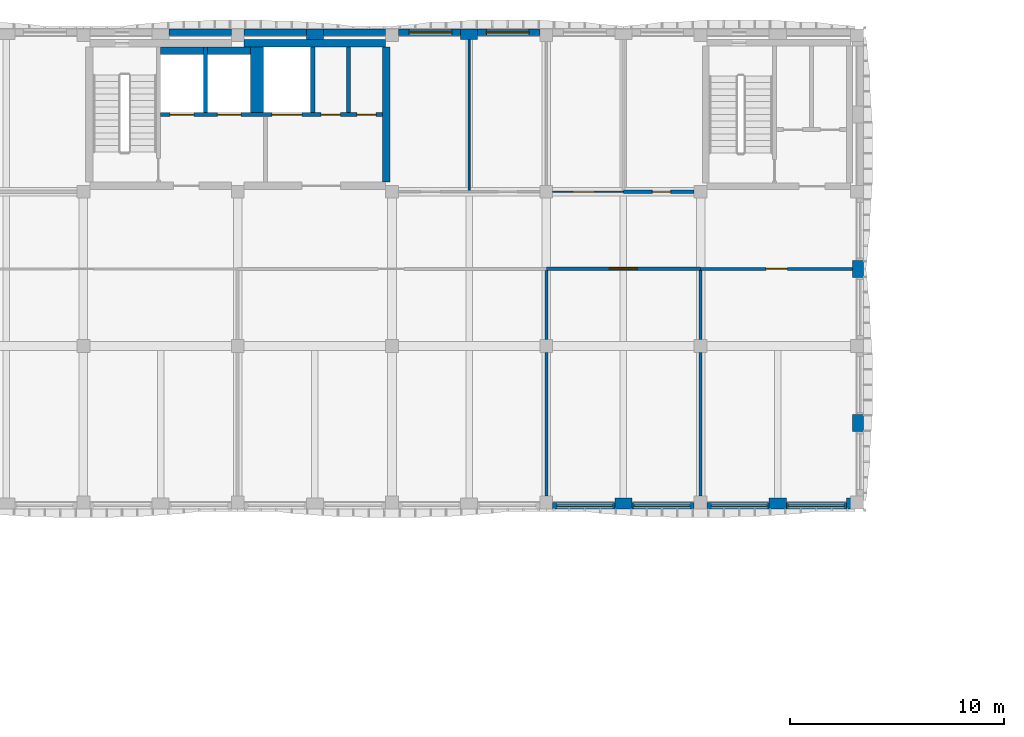
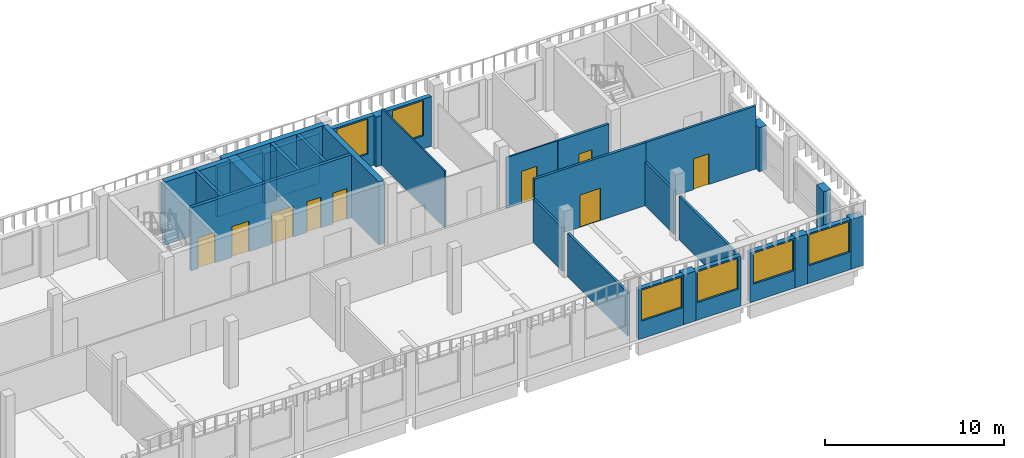
# One storey, part 16 of 38: 34 walls, 9 doors, 6 windows, 15 openings.
"""IFC4 building model written with IfcOpenShell, lengths in metres."""

import ifcopenshell
import ifcopenshell.guid

model = None  # the IFC model being written
_history = None  # IfcOwnerHistory: only IFC2X3 demands one
_inside = {}  # id of a spatial element -> (the spatial element, [elements in it])
_under = {}  # id of a project, library or spatial element -> (it, [spatial elements below it])
_declared = {}  # id of a project -> (the project, [libraries it declares])
_typed = {}  # id of a type object -> (the type object, [elements of that type])
_made_of = {}  # id of a material, layer set ... -> (it, [elements and type objects made of it])


def new_model(schema):
    """Start an empty IFC model of exactly this schema.

    Asked for "IFC4X3", IfcOpenShell would pick the latest addendum, in which some entities
    have other attributes; the version numbers below select the first issue.
    IFC2X3 requires an IfcOwnerHistory on every rooted entity: one is made here for all.
    """
    global model, _history
    if schema == "IFC4X3":
        model = ifcopenshell.file(schema_version=(4, 3, 0, 0))
    else:
        model = ifcopenshell.file(schema=schema)
    _inside.clear()
    _under.clear()
    _declared.clear()
    _typed.clear()
    _made_of.clear()
    _history = None
    if model.schema == "IFC2X3":
        org = make("IfcOrganization", Name="unknown")
        user = make(
            "IfcPersonAndOrganization",
            ThePerson=make("IfcPerson", FamilyName="unknown"),
            TheOrganization=org,
        )
        app = make(
            "IfcApplication",
            ApplicationDeveloper=org,
            Version="unknown",
            ApplicationFullName="unknown",
            ApplicationIdentifier="unknown",
        )
        _history = make(
            "IfcOwnerHistory",
            OwningUser=user,
            OwningApplication=app,
            ChangeAction="ADDED",
            CreationDate=0,
        )
    return model


def make(cls, **values):
    """One entity of the class cls with the attributes given. An attribute that is None is left unset."""
    return model.create_entity(
        cls, **{name: value for name, value in values.items() if value is not None}
    )


def rooted(cls, **values):
    """An entity with a GlobalId (a new one), such as an element, a storey or a relation."""
    return make(cls, GlobalId=ifcopenshell.guid.new(), OwnerHistory=_history, **values)


def si_unit(unit_type, name, prefix=None):
    """IfcSIUnit, for example si_unit("LENGTHUNIT", "METRE", prefix="MILLI")."""
    return make("IfcSIUnit", UnitType=unit_type, Prefix=prefix, Name=name)


def assignment(units):
    """IfcUnitAssignment: the units of a project."""
    return None if units is None else make("IfcUnitAssignment", Units=units)


def point(xyz):
    """IfcCartesianPoint."""
    return None if xyz is None else make("IfcCartesianPoint", Coordinates=xyz)


def direction(xyz):
    """IfcDirection."""
    return None if xyz is None else make("IfcDirection", DirectionRatios=xyz)


def frame(location, z_axis=None, x_axis=None):
    """IfcAxis2Placement3D, a coordinate frame: its origin and axes. An axis left out is left unset."""
    return make(
        "IfcAxis2Placement3D",
        Location=point(location),
        Axis=direction(z_axis),
        RefDirection=direction(x_axis),
    )


def frame_2d(location, x_axis=None):
    """IfcAxis2Placement2D, a coordinate frame in the plane: its origin and x axis."""
    return make(
        "IfcAxis2Placement2D", Location=point(location), RefDirection=direction(x_axis)
    )


def origin():
    """The frame at (0, 0, 0) with its axes left unset."""
    return frame((0.0, 0.0, 0.0))


def place(relative_to, where):
    """IfcLocalPlacement: puts the frame where relative to a parent placement (None: the world)."""
    return make(
        "IfcLocalPlacement", PlacementRelTo=relative_to, RelativePlacement=where
    )


def context(
    kind, dimensions, precision=None, world=None, true_north=None, identifier=None
):
    """IfcGeometricRepresentationContext, for example the 3D "Model" context."""
    return make(
        "IfcGeometricRepresentationContext",
        ContextIdentifier=identifier,
        ContextType=kind,
        CoordinateSpaceDimension=dimensions,
        Precision=precision,
        WorldCoordinateSystem=world,
        TrueNorth=true_north,
    )


def subcontext(parent, identifier, kind, view, scale=None):
    """IfcGeometricRepresentationSubContext, for example "Body" below "Model"."""
    return make(
        "IfcGeometricRepresentationSubContext",
        ContextIdentifier=identifier,
        ContextType=kind,
        ParentContext=parent,
        TargetScale=scale,
        TargetView=view,
    )


def project(units=None, contexts=None):
    """IfcProject with its units and contexts."""
    return rooted(
        "IfcProject",
        Name="project",
        RepresentationContexts=contexts,
        UnitsInContext=assignment(units),
    )


def spatial(cls, under=None, at=None, **own):
    """A site, building, storey or space (cls), placed at a placement, below another one or the project."""
    s = rooted(cls, ObjectPlacement=at, **own)
    if under is not None:
        _under.setdefault(under.id(), (under, []))[1].append(s)
    return s


def profile(cls, at=None, kind="AREA", **sizes):
    """A parametric profile (cls). Its sizes go by their IFC names, for example OverallWidth=200.0."""
    return make(cls, ProfileType=kind, Position=at, **sizes)


def rectangle(**sizes):
    """IfcRectangleProfileDef."""
    return profile("IfcRectangleProfileDef", **sizes)


def extrude(swept, where, along, depth):
    """IfcExtrudedAreaSolid: the profile swept, set in the frame where, extruded along a direction by depth."""
    return make(
        "IfcExtrudedAreaSolid",
        SweptArea=swept,
        Position=where,
        ExtrudedDirection=direction(along),
        Depth=depth,
    )


def shape(context_of_items, identifier, shape_type, items):
    """IfcShapeRepresentation: the items that make up one representation, for example the "Body"."""
    return make(
        "IfcShapeRepresentation",
        ContextOfItems=context_of_items,
        RepresentationIdentifier=identifier,
        RepresentationType=shape_type,
        Items=items,
    )


def material(Name=None, Category=None):
    """IfcMaterial."""
    return make("IfcMaterial", Name=Name, Category=Category)


def layer(
    of_material, thickness, ventilated=None, Name=None, Category=None, Priority=None
):
    """IfcMaterialLayer: one layer of a wall or slab, of a material (None: an air gap)."""
    return make(
        "IfcMaterialLayer",
        Material=of_material,
        LayerThickness=thickness,
        IsVentilated=ventilated,
        Name=Name,
        Category=Category,
        Priority=Priority,
    )


def layer_set(layers, Name=None):
    """IfcMaterialLayerSet."""
    return make("IfcMaterialLayerSet", MaterialLayers=layers, LayerSetName=Name)


def made_of(thing, what):
    """Note that an element or type object is made of a material, layer set ...; save() writes the relation."""
    if what is not None:
        _made_of.setdefault(what.id(), (what, []))[1].append(thing)
    return thing


def type_object(cls, material=None, **own):
    """A type object (cls), such as IfcWallType, which elements share."""
    return made_of(rooted(cls, **own), material)


def element(
    cls,
    number,
    at=None,
    inside=None,
    cuts=None,
    type_object=None,
    material=None,
    context=None,
    identifier="Body",
    shape_type=None,
    held_by="IfcProductDefinitionShape",
    body=None,
    shapes=None,
    **own,
):
    """One element of the class cls, such as IfcWall. Its Tag is "e" and its number.

    at: its placement. inside: the storey or other place that contains it. cuts: it is an
    opening in that element (IfcRelVoidsElement). A single representation is given by context,
    identifier, shape_type and body (its items); several are given by shapes. held_by: the class
    of the entity that holds the representations. save() writes the other relations.
    """
    e = rooted(cls, Tag="e%d" % number, ObjectPlacement=at, **own)
    if body is not None:
        shapes = [shape(context, identifier, shape_type, body)]
    if shapes is not None:
        e.Representation = make(held_by, Representations=shapes)
    if inside is not None:
        _inside.setdefault(inside.id(), (inside, []))[1].append(e)
    if cuts is not None:
        rooted(
            "IfcRelVoidsElement", RelatingBuildingElement=cuts, RelatedOpeningElement=e
        )
    if type_object is not None:
        _typed.setdefault(type_object.id(), (type_object, []))[1].append(e)
    return made_of(e, material)


def fill(opening, filler):
    """IfcRelFillsElement: the door or window that sits in an opening."""
    return rooted(
        "IfcRelFillsElement",
        RelatingOpeningElement=opening,
        RelatedBuildingElement=filler,
    )


def aggregate(whole, parts):
    """IfcRelAggregates: a whole, such as a stair, and the parts it consists of."""
    return rooted("IfcRelAggregates", RelatingObject=whole, RelatedObjects=parts)


def save(model, path):
    """Write the relations noted so far, then the file.

    IfcRelAggregates (storeys below a building ...), IfcRelContainedInSpatialStructure (elements
    in a storey), IfcRelDefinesByType, IfcRelAssociatesMaterial and IfcRelDeclares: one each for
    every whole, place, type object, material and project.
    """
    for whole, parts in _under.values():
        aggregate(whole, parts)
    for where, things in _inside.values():
        rooted(
            "IfcRelContainedInSpatialStructure",
            RelatedElements=things,
            RelatingStructure=where,
        )
    for kind, things in _typed.values():
        rooted("IfcRelDefinesByType", RelatedObjects=things, RelatingType=kind)
    for what, things in _made_of.values():
        rooted("IfcRelAssociatesMaterial", RelatedObjects=things, RelatingMaterial=what)
    for by, libraries in _declared.values():
        rooted("IfcRelDeclares", RelatingContext=by, RelatedDefinitions=libraries)
    model.write(path)


model = new_model("IFC4")

# Units and contexts
model_context = context("Model", 3, precision=1e-05, world=origin(), true_north=direction((0.0, 1.0)))
body_context = subcontext(model_context, "Body", "Model", "MODEL_VIEW")
ifc_project = project(units=[si_unit("LENGTHUNIT", "METRE"), si_unit("AREAUNIT", "SQUARE_METRE"), si_unit("VOLUMEUNIT", "CUBIC_METRE"), si_unit("PLANEANGLEUNIT", "RADIAN"), si_unit("MASSUNIT", "GRAM", prefix="KILO")], contexts=[model_context])

# Site, building, storey
site_placement = place(None, origin())
site = spatial("IfcSite", under=ifc_project, at=site_placement, CompositionType="ELEMENT")
building_placement = place(site_placement, origin())
building = spatial("IfcBuilding", under=site, at=building_placement, Name="Ussher Court Research Institute", CompositionType="ELEMENT")
storey_placement = place(building_placement, frame((0.0, 0.0, 23.39990234375)))
storey = spatial("IfcBuildingStorey", under=building, at=storey_placement, Name="L05", CompositionType="ELEMENT", Elevation=23.39990234375)

# Wall, opening, window
ifc_material_1 = material(Name="Blockwork with cream render", Category="masonry")
ifc_layer_1 = layer(ifc_material_1, 0.300048828125)
ifc_layer_set_1 = layer_set([ifc_layer_1], Name="Blockwork with cream render")
wall_type_1 = type_object("IfcWallType", Name="External wall 300 cream render", PredefinedType="SOLIDWALL", material=ifc_layer_set_1)
wall_1_placement = place(storey_placement, frame((81.800048828125, 68.550048828125, 0.0), z_axis=(0.0, 0.0, 1.0), x_axis=(-1.0, 0.0, 0.0)))
wall_1 = element("IfcWall", 1, at=wall_1_placement, inside=storey, type_object=wall_type_1, Name="External wall EW1 L05", PredefinedType="SOLIDWALL", context=body_context, shape_type="SweptSolid", body=[
    extrude(rectangle(XDim=2.800048828125, YDim=0.300048828125, at=frame_2d((1.39990234375, 0.0))), origin(), (0.0, 0.0, 1.0), 3.400146484375),
])
opening_1_placement = place(wall_1_placement, frame((0.10009765625, 0.0, 1.199951171875)))
opening_1 = element("IfcOpeningElement", 2, at=opening_1_placement, cuts=wall_1, Name="Opening W08", PredefinedType="OPENING", context=body_context, shape_type="SweptSolid", body=[
    extrude(rectangle(XDim=2.60009765625, YDim=2.10009765625, at=frame_2d((1.300048828125, 1.050048828125))), frame((0.0, 0.16015625, 0.0), z_axis=(0.0, -1.0, 0.0), x_axis=(1.0, 0.0, 0.0)), (0.0, 0.0, 1.0), 0.320068359375),
])
ifc_material_2 = material(Name="Bronze anodised aluminium with double glazing", Category="aluminium")
window_type_1 = type_object("IfcWindowType", Name="Dry laboratory bay window 2600x2100", PartitioningType="DOUBLE_PANEL_VERTICAL", PredefinedType="WINDOW", material=ifc_material_2)
window_1_placement = place(opening_1_placement, origin())
window_1 = element("IfcWindow", 3, at=window_1_placement, inside=storey, type_object=window_type_1, Name="Window W08 L05", OverallHeight=2.10009765625, OverallWidth=2.60009765625, PartitioningType="SINGLE_PANEL", PredefinedType="WINDOW", context=body_context, shape_type="SweptSolid", body=[
    extrude(rectangle(XDim=2.60009765625, YDim=2.10009765625, at=frame_2d((1.300048828125, 1.050048828125))), frame((0.0, 0.030029296875, 0.0), z_axis=(0.0, -1.0, 0.0), x_axis=(1.0, 0.0, 0.0)), (0.0, 0.0, 1.0), 0.06005859375),
])
fill(opening_1, window_1)

wall_2_placement = place(storey_placement, frame((78.199951171875, 68.550048828125, 0.0), z_axis=(0.0, 0.0, 1.0), x_axis=(-1.0, 0.0, 0.0)))
wall_2 = element("IfcWall", 4, at=wall_2_placement, inside=storey, type_object=wall_type_1, Name="External wall EW1 L05", PredefinedType="SOLIDWALL", context=body_context, shape_type="SweptSolid", body=[
    extrude(rectangle(XDim=2.89990234375, YDim=0.300048828125, at=frame_2d((1.449951171875, 0.0))), origin(), (0.0, 0.0, 1.0), 3.400146484375),
])
opening_2_placement = place(wall_2_placement, frame((0.10009765625, 0.0, 1.199951171875)))
opening_2 = element("IfcOpeningElement", 5, at=opening_2_placement, cuts=wall_2, Name="Opening W08", PredefinedType="OPENING", context=body_context, shape_type="SweptSolid", body=[
    extrude(rectangle(XDim=2.60009765625, YDim=2.10009765625, at=frame_2d((1.300048828125, 1.050048828125))), frame((0.0, 0.16015625, 0.0), z_axis=(0.0, -1.0, 0.0), x_axis=(1.0, 0.0, 0.0)), (0.0, 0.0, 1.0), 0.320068359375),
])
window_2_placement = place(opening_2_placement, origin())
window_2 = element("IfcWindow", 6, at=window_2_placement, inside=storey, type_object=window_type_1, Name="Window W08 L05", OverallHeight=2.10009765625, OverallWidth=2.60009765625, PartitioningType="SINGLE_PANEL", PredefinedType="WINDOW", context=body_context, shape_type="SweptSolid", body=[
    extrude(rectangle(XDim=2.60009765625, YDim=2.10009765625, at=frame_2d((1.300048828125, 1.050048828125))), frame((0.0, 0.030029296875, 0.0), z_axis=(0.0, -1.0, 0.0), x_axis=(1.0, 0.0, 0.0)), (0.0, 0.0, 1.0), 0.06005859375),
])
fill(opening_2, window_2)

wall_3_placement = place(storey_placement, frame((74.699951171875, 68.550048828125, 0.0), z_axis=(0.0, 0.0, 1.0), x_axis=(-1.0, 0.0, 0.0)))
wall_3 = element("IfcWall", 7, at=wall_3_placement, inside=storey, type_object=wall_type_1, Name="External wall EW1 L05", PredefinedType="SOLIDWALL", context=body_context, shape_type="SweptSolid", body=[
    extrude(rectangle(XDim=2.89990234375, YDim=0.300048828125, at=frame_2d((1.449951171875, 0.0))), origin(), (0.0, 0.0, 1.0), 3.400146484375),
])
opening_3_placement = place(wall_3_placement, frame((0.199951171875, 0.0, 1.199951171875)))
opening_3 = element("IfcOpeningElement", 8, at=opening_3_placement, cuts=wall_3, Name="Opening W08", PredefinedType="OPENING", context=body_context, shape_type="SweptSolid", body=[
    extrude(rectangle(XDim=2.60009765625, YDim=2.10009765625, at=frame_2d((1.300048828125, 1.050048828125))), frame((0.0, 0.16015625, 0.0), z_axis=(0.0, -1.0, 0.0), x_axis=(1.0, 0.0, 0.0)), (0.0, 0.0, 1.0), 0.320068359375),
])
window_3_placement = place(opening_3_placement, origin())
window_3 = element("IfcWindow", 9, at=window_3_placement, inside=storey, type_object=window_type_1, Name="Window W08 L05", OverallHeight=2.10009765625, OverallWidth=2.60009765625, PartitioningType="SINGLE_PANEL", PredefinedType="WINDOW", context=body_context, shape_type="SweptSolid", body=[
    extrude(rectangle(XDim=2.60009765625, YDim=2.10009765625, at=frame_2d((1.300048828125, 1.050048828125))), frame((0.0, 0.030029296875, 0.0), z_axis=(0.0, -1.0, 0.0), x_axis=(1.0, 0.0, 0.0)), (0.0, 0.0, 1.0), 0.06005859375),
])
fill(opening_3, window_3)

wall_4_placement = place(storey_placement, frame((71.0, 68.550048828125, 0.0), z_axis=(0.0, 0.0, 1.0), x_axis=(-1.0, 0.0, 0.0)))
wall_4 = element("IfcWall", 10, at=wall_4_placement, inside=storey, type_object=wall_type_1, Name="External wall EW1 L05", PredefinedType="SOLIDWALL", context=body_context, shape_type="SweptSolid", body=[
    extrude(rectangle(XDim=2.89990234375, YDim=0.300048828125, at=frame_2d((1.449951171875, 0.0))), origin(), (0.0, 0.0, 1.0), 3.400146484375),
])
opening_4_placement = place(wall_4_placement, frame((0.10009765625, 0.0, 1.199951171875)))
opening_4 = element("IfcOpeningElement", 11, at=opening_4_placement, cuts=wall_4, Name="Opening W08", PredefinedType="OPENING", context=body_context, shape_type="SweptSolid", body=[
    extrude(rectangle(XDim=2.60009765625, YDim=2.10009765625, at=frame_2d((1.300048828125, 1.050048828125))), frame((0.0, 0.16015625, 0.0), z_axis=(0.0, -1.0, 0.0), x_axis=(1.0, 0.0, 0.0)), (0.0, 0.0, 1.0), 0.320068359375),
])
window_4_placement = place(opening_4_placement, origin())
window_4 = element("IfcWindow", 12, at=window_4_placement, inside=storey, type_object=window_type_1, Name="Window W08 L05", OverallHeight=2.10009765625, OverallWidth=2.60009765625, PartitioningType="SINGLE_PANEL", PredefinedType="WINDOW", context=body_context, shape_type="SweptSolid", body=[
    extrude(rectangle(XDim=2.60009765625, YDim=2.10009765625, at=frame_2d((1.300048828125, 1.050048828125))), frame((0.0, 0.030029296875, 0.0), z_axis=(0.0, -1.0, 0.0), x_axis=(1.0, 0.0, 0.0)), (0.0, 0.0, 1.0), 0.06005859375),
])
fill(opening_4, window_4)

wall_5_placement = place(storey_placement, frame((60.89990234375, 90.64990234375, 0.0), z_axis=(0.0, 0.0, 1.0), x_axis=(1.0, 0.0, 0.0)))
wall_5 = element("IfcWall", 13, at=wall_5_placement, inside=storey, type_object=wall_type_1, Name="External wall EW1 L05", PredefinedType="SOLIDWALL", context=body_context, shape_type="SweptSolid", body=[
    extrude(rectangle(XDim=2.900146484375, YDim=0.300048828125, at=frame_2d((1.4501953125, 0.0))), origin(), (0.0, 0.0, 1.0), 3.400146484375),
])
opening_5_placement = place(wall_5_placement, frame((0.5, 0.0, 0.89990234375)))
opening_5 = element("IfcOpeningElement", 14, at=opening_5_placement, cuts=wall_5, Name="Opening W14", PredefinedType="OPENING", context=body_context, shape_type="SweptSolid", body=[
    extrude(rectangle(XDim=2.0, YDim=2.39990234375, at=frame_2d((1.0, 1.199951171875))), frame((0.0, 0.16015625, 0.0), z_axis=(0.0, -1.0, 0.0), x_axis=(1.0, 0.0, 0.0)), (0.0, 0.0, 1.0), 0.320068359375),
])
ifc_material_3 = material(Name="Bronze anodised aluminium with double glazing", Category="aluminium")
window_type_2 = type_object("IfcWindowType", Name="Seminar and write-up office window 2000x2400", PartitioningType="DOUBLE_PANEL_VERTICAL", PredefinedType="WINDOW", material=ifc_material_3)
window_5_placement = place(opening_5_placement, origin())
window_5 = element("IfcWindow", 15, at=window_5_placement, inside=storey, type_object=window_type_2, Name="Window W14 L05", OverallHeight=2.39990234375, OverallWidth=2.0, PartitioningType="SINGLE_PANEL", PredefinedType="WINDOW", context=body_context, shape_type="SweptSolid", body=[
    extrude(rectangle(XDim=2.0, YDim=2.39990234375, at=frame_2d((1.0, 1.199951171875))), frame((0.0, 0.030029296875, 0.0), z_axis=(0.0, -1.0, 0.0), x_axis=(1.0, 0.0, 0.0)), (0.0, 0.0, 1.0), 0.06005859375),
])
fill(opening_5, window_5)

wall_6_placement = place(storey_placement, frame((64.60009765625, 90.64990234375, 0.0), z_axis=(0.0, 0.0, 1.0), x_axis=(1.0, 0.0, 0.0)))
wall_6 = element("IfcWall", 16, at=wall_6_placement, inside=storey, type_object=wall_type_1, Name="External wall EW1 L05", PredefinedType="SOLIDWALL", context=body_context, shape_type="SweptSolid", body=[
    extrude(rectangle(XDim=2.89990234375, YDim=0.300048828125, at=frame_2d((1.449951171875, 0.0))), origin(), (0.0, 0.0, 1.0), 3.400146484375),
])
opening_6_placement = place(wall_6_placement, frame((0.39990234375, 0.0, 0.89990234375)))
opening_6 = element("IfcOpeningElement", 17, at=opening_6_placement, cuts=wall_6, Name="Opening W14", PredefinedType="OPENING", context=body_context, shape_type="SweptSolid", body=[
    extrude(rectangle(XDim=2.0, YDim=2.39990234375, at=frame_2d((1.0, 1.199951171875))), frame((0.0, 0.16015625, 0.0), z_axis=(0.0, -1.0, 0.0), x_axis=(1.0, 0.0, 0.0)), (0.0, 0.0, 1.0), 0.320068359375),
])
window_6_placement = place(opening_6_placement, origin())
window_6 = element("IfcWindow", 18, at=window_6_placement, inside=storey, type_object=window_type_2, Name="Window W14 L05", OverallHeight=2.39990234375, OverallWidth=2.0, PartitioningType="SINGLE_PANEL", PredefinedType="WINDOW", context=body_context, shape_type="SweptSolid", body=[
    extrude(rectangle(XDim=2.0, YDim=2.39990234375, at=frame_2d((1.0, 1.199951171875))), frame((0.0, 0.030029296875, 0.0), z_axis=(0.0, -1.0, 0.0), x_axis=(1.0, 0.0, 0.0)), (0.0, 0.0, 1.0), 0.06005859375),
])
fill(opening_6, window_6)

# Walls
ifc_material_4 = material(Name="Limestone facing on blockwork", Category="masonry")
ifc_layer_2 = layer(ifc_material_4, 0.300048828125)
ifc_layer_set_2 = layer_set([ifc_layer_2], Name="Limestone facing on blockwork")
wall_type_2 = type_object("IfcWallType", Name="External wall 300 stair enclosure", PredefinedType="SOLIDWALL", material=ifc_layer_set_2)
for number, where, z_axis, x_axis, name in (
    (19, (50.199951171875, 90.64990234375, 0.0), (0.0, 0.0, 1.0), (1.0, 0.0, 0.0), "External wall EW5 L05"),
    (20, (53.699951171875, 90.64990234375, 0.0), (0.0, 0.0, 1.0), (1.0, 0.0, 0.0), "External wall EW5 L05"),
    (21, (57.39990234375, 90.64990234375, 0.0), (0.0, 0.0, 1.0), (1.0, 0.0, 0.0), "External wall EW5 L05"),
):
    element("IfcWall", number, at=place(storey_placement, frame(where, z_axis=z_axis, x_axis=x_axis)), inside=storey, type_object=wall_type_2, Name=name, PredefinedType="SOLIDWALL", context=body_context, shape_type="SweptSolid", body=[
        extrude(rectangle(XDim=2.900146484375, YDim=0.300048828125, at=frame_2d((1.4501953125, 0.0))), origin(), (0.0, 0.0, 1.0), 3.400146484375),
    ])

# Wall, opening, door
ifc_material_5 = material(Name="Plastered blockwork", Category="masonry")
ifc_layer_3 = layer(ifc_material_5, 0.14990234375)
ifc_layer_set_3 = layer_set([ifc_layer_3], Name="Plastered blockwork")
wall_type_3 = type_object("IfcWallType", Name="Fire partition blockwork 150 EI 60", PredefinedType="PARTITIONING", material=ifc_layer_set_3)
wall_7_placement = place(storey_placement, frame((82.10009765625, 79.60009765625, 0.0), z_axis=(0.0, 0.0, 1.0), x_axis=(-1.0, 0.0, 0.0)))
wall_7 = element("IfcWall", 22, at=wall_7_placement, inside=storey, type_object=wall_type_3, Name="Fire partition", PredefinedType="PARTITIONING", context=body_context, shape_type="SweptSolid", body=[
    extrude(rectangle(XDim=7.10009765625, YDim=0.14990234375, at=frame_2d((3.550048828125, 0.0))), origin(), (0.0, 0.0, 1.0), 4.300048828125),
])
opening_7_placement = place(wall_7_placement, frame((3.050048828125, 0.0, 0.0)))
opening_7 = element("IfcOpeningElement", 23, at=opening_7_placement, cuts=wall_7, Name="Opening D05022", PredefinedType="OPENING", context=body_context, shape_type="SweptSolid", body=[
    extrude(rectangle(XDim=1.0, YDim=2.10009765625, at=frame_2d((0.5, 1.050048828125))), frame((0.0, 0.0849609375, 0.0), z_axis=(0.0, -1.0, 0.0), x_axis=(1.0, 0.0, 0.0)), (0.0, 0.0, 1.0), 0.169921875),
])
ifc_material_6 = material(Name="Painted steel faced fire door", Category="steel")
door_type_1 = type_object("IfcDoorType", Name="Store door 1000x2100 FD60", OperationType="NOTDEFINED", PredefinedType="DOOR", material=ifc_material_6)
door_1_placement = place(opening_7_placement, origin())
door_1 = element("IfcDoor", 24, at=door_1_placement, inside=storey, type_object=door_type_1, Name="Door D05022", OperationType="SINGLE_SWING_RIGHT", OverallHeight=2.10009765625, OverallWidth=1.0, PredefinedType="DOOR", context=body_context, shape_type="SweptSolid", body=[
    extrude(rectangle(XDim=1.0, YDim=2.10009765625, at=frame_2d((0.5, 1.050048828125))), frame((0.0, 0.02490234375, 0.0), z_axis=(0.0, -1.0, 0.0), x_axis=(1.0, 0.0, 0.0)), (0.0, 0.0, 1.0), 0.050048828125),
])
fill(opening_7, door_1)

wall_8_placement = place(storey_placement, frame((71.39990234375, 83.199951171875, 0.0), z_axis=(0.0, 0.0, 1.0), x_axis=(1.0, 0.0, 0.0)))
wall_8 = element("IfcWall", 25, at=wall_8_placement, inside=storey, type_object=wall_type_3, Name="Fire partition", PredefinedType="PARTITIONING", context=body_context, shape_type="SweptSolid", body=[
    extrude(rectangle(XDim=3.300048828125, YDim=0.14990234375, at=frame_2d((1.64990234375, 0.0))), origin(), (0.0, 0.0, 1.0), 3.47021484375),
])
opening_8_placement = place(wall_8_placement, frame((1.35009765625, 0.0, 0.0)))
opening_8 = element("IfcOpeningElement", 26, at=opening_8_placement, cuts=wall_8, Name="Opening D05020", PredefinedType="OPENING", context=body_context, shape_type="SweptSolid", body=[
    extrude(rectangle(XDim=0.85009765625, YDim=2.10009765625, at=frame_2d((0.425048828125, 1.050048828125))), frame((0.0, 0.0849609375, 0.0), z_axis=(0.0, -1.0, 0.0), x_axis=(1.0, 0.0, 0.0)), (0.0, 0.0, 1.0), 0.169921875),
])
ifc_material_7 = material(Name="Painted steel faced fire door", Category="steel")
door_type_2 = type_object("IfcDoorType", Name="Service store door 850x2100 FD60", OperationType="NOTDEFINED", PredefinedType="DOOR", material=ifc_material_7)
door_2_placement = place(opening_8_placement, origin())
door_2 = element("IfcDoor", 27, at=door_2_placement, inside=storey, type_object=door_type_2, Name="Door D05020", OperationType="SINGLE_SWING_RIGHT", OverallHeight=2.10009765625, OverallWidth=0.85009765625, PredefinedType="DOOR", context=body_context, shape_type="SweptSolid", body=[
    extrude(rectangle(XDim=0.85009765625, YDim=2.10009765625, at=frame_2d((0.425048828125, 1.050048828125))), frame((0.0, 0.02490234375, 0.0), z_axis=(0.0, -1.0, 0.0), x_axis=(1.0, 0.0, 0.0)), (0.0, 0.0, 1.0), 0.050048828125),
])
fill(opening_8, door_2)

# Walls
wall_9_placement = place(storey_placement, frame((75.0, 69.0, 0.0), z_axis=(0.0, 0.0, 1.0), x_axis=(0.0, 1.0, 0.0)))
element("IfcWall", 28, at=wall_9_placement, inside=storey, type_object=wall_type_3, Name="Fire partition", PredefinedType="PARTITIONING", context=body_context, shape_type="SweptSolid", body=[
    extrude(rectangle(XDim=6.699951171875, YDim=0.14990234375, at=frame_2d((3.35009765625, 0.0))), origin(), (0.0, 0.0, 1.0), 2.97021484375),
])
wall_10_placement = place(storey_placement, frame((75.0, 76.300048828125, 0.0), z_axis=(0.0, 0.0, 1.0), x_axis=(0.0, 1.0, 0.0)))
element("IfcWall", 29, at=wall_10_placement, inside=storey, type_object=wall_type_3, Name="Fire partition", PredefinedType="PARTITIONING", context=body_context, shape_type="SweptSolid", body=[
    extrude(rectangle(XDim=3.224853515625, YDim=0.14990234375, at=frame_2d((1.6123046875, 0.0))), origin(), (0.0, 0.0, 1.0), 2.97021484375),
])

# Wall, opening, door
ifc_material_8 = material(Name="Dense concrete blockwork", Category="masonry")
ifc_layer_4 = layer(ifc_material_8, 0.159912109375)
ifc_layer_set_4 = layer_set([ifc_layer_4], Name="Dense concrete blockwork")
wall_type_4 = type_object("IfcWallType", Name="Instrument room dense block partition 160", PredefinedType="PARTITIONING", material=ifc_layer_set_4)
wall_11_placement = place(storey_placement, frame((75.0, 79.60009765625, 0.0), z_axis=(0.0, 0.0, 1.0), x_axis=(-1.0, 0.0, 0.0)))
wall_11 = element("IfcWall", 30, at=wall_11_placement, inside=storey, type_object=wall_type_4, Name="Partition", PredefinedType="PARTITIONING", context=body_context, shape_type="SweptSolid", body=[
    extrude(rectangle(XDim=7.199951171875, YDim=0.159912109375, at=frame_2d((3.60009765625, 0.0))), origin(), (0.0, 0.0, 1.0), 4.300048828125),
])
opening_9_placement = place(wall_11_placement, frame((2.949951171875, 0.0, 0.0)))
opening_9 = element("IfcOpeningElement", 31, at=opening_9_placement, cuts=wall_11, Name="Opening D05019", PredefinedType="OPENING", context=body_context, shape_type="SweptSolid", body=[
    extrude(rectangle(XDim=1.300048828125, YDim=2.199951171875, at=frame_2d((0.64990234375, 1.10009765625))), frame((0.0, 0.08984375, 0.0), z_axis=(0.0, -1.0, 0.0), x_axis=(1.0, 0.0, 0.0)), (0.0, 0.0, 1.0), 0.179931640625),
])
ifc_material_9 = material(Name="Veneered timber door", Category="wood")
door_type_3 = type_object("IfcDoorType", Name="Instrument room door 1300x2200", OperationType="NOTDEFINED", PredefinedType="DOOR", material=ifc_material_9)
door_3_placement = place(opening_9_placement, origin())
door_3 = element("IfcDoor", 32, at=door_3_placement, inside=storey, type_object=door_type_3, Name="Door D05019", OperationType="SINGLE_SWING_LEFT", OverallHeight=2.199951171875, OverallWidth=1.300048828125, PredefinedType="DOOR", context=body_context, shape_type="SweptSolid", body=[
    extrude(rectangle(XDim=1.300048828125, YDim=2.199951171875, at=frame_2d((0.64990234375, 1.10009765625))), frame((0.0, 0.02490234375, 0.0), z_axis=(0.0, -1.0, 0.0), x_axis=(1.0, 0.0, 0.0)), (0.0, 0.0, 1.0), 0.050048828125),
])
fill(opening_9, door_3)

# Walls
ifc_material_10 = material(Name="Plastered blockwork", Category="masonry")
ifc_layer_5 = layer(ifc_material_10, 0.139892578125)
ifc_layer_set_5 = layer_set([ifc_layer_5], Name="Plastered blockwork")
wall_type_5 = type_object("IfcWallType", Name="Laboratory blockwork partition 140", PredefinedType="PARTITIONING", material=ifc_layer_set_5)
wall_12_placement = place(storey_placement, frame((67.800048828125, 69.0, 0.0), z_axis=(0.0, 0.0, 1.0), x_axis=(0.0, 1.0, 0.0)))
element("IfcWall", 33, at=wall_12_placement, inside=storey, type_object=wall_type_5, Name="Partition", PredefinedType="PARTITIONING", context=body_context, shape_type="SweptSolid", body=[
    extrude(rectangle(XDim=6.699951171875, YDim=0.139892578125, at=frame_2d((3.35009765625, 0.0))), origin(), (0.0, 0.0, 1.0), 2.97021484375),
])
wall_13_placement = place(storey_placement, frame((67.800048828125, 76.300048828125, 0.0), z_axis=(0.0, 0.0, 1.0), x_axis=(0.0, 1.0, 0.0)))
element("IfcWall", 34, at=wall_13_placement, inside=storey, type_object=wall_type_5, Name="Partition", PredefinedType="PARTITIONING", context=body_context, shape_type="SweptSolid", body=[
    extrude(rectangle(XDim=3.22998046875, YDim=0.139892578125, at=frame_2d((1.614990234375, 0.0))), origin(), (0.0, 0.0, 1.0), 2.97021484375),
])
ifc_material_11 = material(Name="Blockwork with cream render", Category="masonry")
ifc_layer_6 = layer(ifc_material_11, 0.5)
ifc_layer_set_6 = layer_set([ifc_layer_6], Name="Blockwork with cream render")
wall_type_6 = type_object("IfcWallType", Name="Pier 800x500 cream render", PredefinedType="SOLIDWALL", material=ifc_layer_set_6)
for number, where, z_axis, x_axis, name in (
    (35, (82.60009765625, 68.64990234375, 0.0), (0.0, 0.0, 1.0), (-1.0, 0.0, 0.0), "Pier PR1 L05"),
    (36, (79.0, 68.64990234375, 0.0), (0.0, 0.0, 1.0), (-1.0, 0.0, 0.0), "Pier PR1 L05"),
    (37, (71.800048828125, 68.64990234375, 0.0), (0.0, 0.0, 1.0), (-1.0, 0.0, 0.0), "Pier PR1 L05"),
):
    element("IfcWall", number, at=place(storey_placement, frame(where, z_axis=z_axis, x_axis=x_axis)), inside=storey, type_object=wall_type_6, Name=name, PredefinedType="SOLIDWALL", context=body_context, shape_type="SweptSolid", body=[
        extrude(rectangle(XDim=0.800048828125, YDim=0.5, at=frame_2d((0.39990234375, 0.0))), origin(), (0.0, 0.0, 1.0), 3.400146484375),
    ])
wall_14_placement = place(storey_placement, frame((56.60009765625, 90.550048828125, 0.0), z_axis=(0.0, 0.0, 1.0), x_axis=(1.0, 0.0, 0.0)))
element("IfcWall", 38, at=wall_14_placement, inside=storey, type_object=wall_type_6, Name="Pier PR1 L05", PredefinedType="SOLIDWALL", context=body_context, shape_type="SweptSolid", body=[
    extrude(rectangle(XDim=0.7998046875, YDim=0.5, at=frame_2d((0.39990234375, 0.0))), origin(), (0.0, 0.0, 1.0), 3.400146484375),
])
wall_15_placement = place(storey_placement, frame((63.800048828125, 90.550048828125, 0.0), z_axis=(0.0, 0.0, 1.0), x_axis=(1.0, 0.0, 0.0)))
element("IfcWall", 39, at=wall_15_placement, inside=storey, type_object=wall_type_6, Name="Pier PR1 L05", PredefinedType="SOLIDWALL", context=body_context, shape_type="SweptSolid", body=[
    extrude(rectangle(XDim=0.800048828125, YDim=0.5, at=frame_2d((0.39990234375, 0.0))), origin(), (0.0, 0.0, 1.0), 3.400146484375),
])
for number, where, z_axis, x_axis, name in (
    (40, (82.35009765625, 80.0, 0.0), (0.0, 0.0, 1.0), (0.0, -1.0, 0.0), "Pier PR1 L05"),
    (41, (82.35009765625, 72.800048828125, 0.0), (0.0, 0.0, 1.0), (0.0, -1.0, 0.0), "Pier PR1 L05"),
):
    element("IfcWall", number, at=place(storey_placement, frame(where, z_axis=z_axis, x_axis=x_axis)), inside=storey, type_object=wall_type_6, Name=name, PredefinedType="SOLIDWALL", context=body_context, shape_type="SweptSolid", body=[
        extrude(rectangle(XDim=0.800048828125, YDim=0.5, at=frame_2d((0.39990234375, 0.0))), origin(), (0.0, 0.0, 1.0), 3.0),
    ])

# Wall, openings, doors
ifc_material_12 = material(Name="Concrete C35/45", Category="concrete")
ifc_layer_7 = layer(ifc_material_12, 0.199951171875)
ifc_layer_set_7 = layer_set([ifc_layer_7], Name="Concrete C35/45")
wall_type_7 = type_object("IfcWallType", Name="RC core wall 200", PredefinedType="SHEAR", material=ifc_layer_set_7)
wall_16_placement = place(storey_placement, frame((60.14990234375, 86.800048828125, 0.0), z_axis=(0.0, 0.0, 1.0), x_axis=(-1.0, 0.0, 0.0)))
wall_16 = element("IfcWall", 42, at=wall_16_placement, inside=storey, type_object=wall_type_7, Name="Core wall D2", PredefinedType="SHEAR", context=body_context, shape_type="SweptSolid", body=[
    extrude(rectangle(XDim=10.349853515625, YDim=0.199951171875, at=frame_2d((5.1748046875, 0.0))), origin(), (0.0, 0.0, 1.0), 4.300048828125),
])
opening_10_placement = place(wall_16_placement, frame((8.800048828125, 0.0, 0.0)))
opening_10 = element("IfcOpeningElement", 43, at=opening_10_placement, cuts=wall_16, Name="Opening LD58", PredefinedType="OPENING", context=body_context, shape_type="SweptSolid", body=[
    extrude(rectangle(XDim=1.10009765625, YDim=2.10009765625, at=frame_2d((0.550048828125, 1.050048828125))), frame((0.0, 0.10986328125, 0.0), z_axis=(0.0, -1.0, 0.0), x_axis=(1.0, 0.0, 0.0)), (0.0, 0.0, 1.0), 0.219970703125),
])
opening_11_placement = place(wall_16_placement, frame((6.60009765625, 0.0, 0.0)))
opening_11 = element("IfcOpeningElement", 44, at=opening_11_placement, cuts=wall_16, Name="Opening LD59", PredefinedType="OPENING", context=body_context, shape_type="SweptSolid", body=[
    extrude(rectangle(XDim=1.10009765625, YDim=2.10009765625, at=frame_2d((0.550048828125, 1.050048828125))), frame((0.0, 0.10986328125, 0.0), z_axis=(0.0, -1.0, 0.0), x_axis=(1.0, 0.0, 0.0)), (0.0, 0.0, 1.0), 0.219970703125),
])
opening_12_placement = place(wall_16_placement, frame((3.75, 0.0, 0.0)))
opening_12 = element("IfcOpeningElement", 45, at=opening_12_placement, cuts=wall_16, Name="Opening LD60", PredefinedType="OPENING", context=body_context, shape_type="SweptSolid", body=[
    extrude(rectangle(XDim=1.39990234375, YDim=2.10009765625, at=frame_2d((0.699951171875, 1.050048828125))), frame((0.0, 0.10986328125, 0.0), z_axis=(0.0, -1.0, 0.0), x_axis=(1.0, 0.0, 0.0)), (0.0, 0.0, 1.0), 0.219970703125),
])
opening_13_placement = place(wall_16_placement, frame((1.96240234375, 0.0, 0.0)))
opening_13 = element("IfcOpeningElement", 46, at=opening_13_placement, cuts=wall_16, Name="Opening D05013", PredefinedType="OPENING", context=body_context, shape_type="SweptSolid", body=[
    extrude(rectangle(XDim=0.89990234375, YDim=2.10009765625, at=frame_2d((0.449951171875, 1.050048828125))), frame((0.0, 0.10986328125, 0.0), z_axis=(0.0, -1.0, 0.0), x_axis=(1.0, 0.0, 0.0)), (0.0, 0.0, 1.0), 0.219970703125),
])
opening_14_placement = place(wall_16_placement, frame((0.28759765625, 0.0, 0.0)))
opening_14 = element("IfcOpeningElement", 47, at=opening_14_placement, cuts=wall_16, Name="Opening D05014", PredefinedType="OPENING", context=body_context, shape_type="SweptSolid", body=[
    extrude(rectangle(XDim=0.89990234375, YDim=2.10009765625, at=frame_2d((0.449951171875, 1.050048828125))), frame((0.0, 0.10986328125, 0.0), z_axis=(0.0, -1.0, 0.0), x_axis=(1.0, 0.0, 0.0)), (0.0, 0.0, 1.0), 0.219970703125),
])
ifc_material_13 = material(Name="Painted steel faced fire door", Category="steel")
door_type_4 = type_object("IfcDoorType", Name="Fire door 900x2100 FD60", OperationType="NOTDEFINED", PredefinedType="DOOR", material=ifc_material_13)
door_4_placement = place(opening_13_placement, origin())
door_4 = element("IfcDoor", 48, at=door_4_placement, inside=storey, type_object=door_type_4, Name="Door D05013", OperationType="SINGLE_SWING_LEFT", OverallHeight=2.10009765625, OverallWidth=0.89990234375, PredefinedType="DOOR", context=body_context, shape_type="SweptSolid", body=[
    extrude(rectangle(XDim=0.89990234375, YDim=2.10009765625, at=frame_2d((0.449951171875, 1.050048828125))), frame((0.0, 0.02490234375, 0.0), z_axis=(0.0, -1.0, 0.0), x_axis=(1.0, 0.0, 0.0)), (0.0, 0.0, 1.0), 0.050048828125),
])
fill(opening_13, door_4)
door_5_placement = place(opening_14_placement, origin())
door_5 = element("IfcDoor", 49, at=door_5_placement, inside=storey, type_object=door_type_4, Name="Door D05014", OperationType="SINGLE_SWING_LEFT", OverallHeight=2.10009765625, OverallWidth=0.89990234375, PredefinedType="DOOR", context=body_context, shape_type="SweptSolid", body=[
    extrude(rectangle(XDim=0.89990234375, YDim=2.10009765625, at=frame_2d((0.449951171875, 1.050048828125))), frame((0.0, 0.02490234375, 0.0), z_axis=(0.0, -1.0, 0.0), x_axis=(1.0, 0.0, 0.0)), (0.0, 0.0, 1.0), 0.050048828125),
])
fill(opening_14, door_5)
ifc_material_14 = material(Name="Stainless steel lift door", Category="steel")
door_type_5 = type_object("IfcDoorType", Name="Lift landing door 1100x2100 sliding", OperationType="DOUBLE_DOOR_SLIDING", PredefinedType="DOOR", material=ifc_material_14)
door_6_placement = place(opening_10_placement, origin())
door_6 = element("IfcDoor", 50, at=door_6_placement, inside=storey, type_object=door_type_5, Name="Landing door D2-1 L05", OperationType="DOUBLE_DOOR_SLIDING", OverallHeight=2.10009765625, OverallWidth=1.10009765625, PredefinedType="DOOR", context=body_context, shape_type="SweptSolid", body=[
    extrude(rectangle(XDim=1.10009765625, YDim=2.10009765625, at=frame_2d((0.550048828125, 1.050048828125))), frame((0.0, 0.02490234375, 0.0), z_axis=(0.0, -1.0, 0.0), x_axis=(1.0, 0.0, 0.0)), (0.0, 0.0, 1.0), 0.050048828125),
])
fill(opening_10, door_6)
door_7_placement = place(opening_11_placement, origin())
door_7 = element("IfcDoor", 51, at=door_7_placement, inside=storey, type_object=door_type_5, Name="Landing door D2-2 L05", OperationType="DOUBLE_DOOR_SLIDING", OverallHeight=2.10009765625, OverallWidth=1.10009765625, PredefinedType="DOOR", context=body_context, shape_type="SweptSolid", body=[
    extrude(rectangle(XDim=1.10009765625, YDim=2.10009765625, at=frame_2d((0.550048828125, 1.050048828125))), frame((0.0, 0.02490234375, 0.0), z_axis=(0.0, -1.0, 0.0), x_axis=(1.0, 0.0, 0.0)), (0.0, 0.0, 1.0), 0.050048828125),
])
fill(opening_11, door_7)
ifc_material_15 = material(Name="Stainless steel lift door", Category="steel")
door_type_6 = type_object("IfcDoorType", Name="Lift landing door 1400x2100 sliding", OperationType="DOUBLE_DOOR_SLIDING", PredefinedType="DOOR", material=ifc_material_15)
door_8_placement = place(opening_12_placement, origin())
door_8 = element("IfcDoor", 52, at=door_8_placement, inside=storey, type_object=door_type_6, Name="Landing door D2-3 L05", OperationType="DOUBLE_DOOR_SLIDING", OverallHeight=2.10009765625, OverallWidth=1.39990234375, PredefinedType="DOOR", context=body_context, shape_type="SweptSolid", body=[
    extrude(rectangle(XDim=1.39990234375, YDim=2.10009765625, at=frame_2d((0.699951171875, 1.050048828125))), frame((0.0, 0.02490234375, 0.0), z_axis=(0.0, -1.0, 0.0), x_axis=(1.0, 0.0, 0.0)), (0.0, 0.0, 1.0), 0.050048828125),
])
fill(opening_12, door_8)

# Walls
for number, where, z_axis, x_axis, name in (
    (53, (51.89990234375, 86.89990234375, 0.0), (0.0, 0.0, 1.0), (0.0, 1.0, 0.0), "Core wall D2"),
    (54, (56.89990234375, 86.89990234375, 0.0), (0.0, 0.0, 1.0), (0.0, 1.0, 0.0), "Core wall D2"),
    (55, (58.574951171875, 86.89990234375, 0.0), (0.0, 0.0, 1.0), (0.0, 1.0, 0.0), "Core wall D2"),
):
    element("IfcWall", number, at=place(storey_placement, frame(where, z_axis=z_axis, x_axis=x_axis)), inside=storey, type_object=wall_type_7, Name=name, PredefinedType="SHEAR", context=body_context, shape_type="SweptSolid", body=[
        extrude(rectangle(XDim=3.050048828125, YDim=0.199951171875, at=frame_2d((1.52490234375, 0.0))), origin(), (0.0, 0.0, 1.0), 4.300048828125),
    ])
ifc_material_16 = material(Name="Concrete C35/45", Category="concrete")
ifc_layer_8 = layer(ifc_material_16, 0.35009765625)
ifc_layer_set_8 = layer_set([ifc_layer_8], Name="Concrete C35/45")
wall_type_8 = type_object("IfcWallType", Name="RC core wall 350", PredefinedType="SHEAR", material=ifc_layer_set_8)
wall_17_placement = place(storey_placement, frame((53.699951171875, 90.125, 0.0), z_axis=(0.0, 0.0, 1.0), x_axis=(1.0, 0.0, 0.0)))
element("IfcWall", 56, at=wall_17_placement, inside=storey, type_object=wall_type_8, Name="Core wall D2", PredefinedType="SHEAR", context=body_context, shape_type="SweptSolid", body=[
    extrude(rectangle(XDim=6.60009765625, YDim=0.35009765625, at=frame_2d((3.300048828125, 0.0))), origin(), (0.0, 0.0, 1.0), 4.300048828125),
])
wall_18_placement = place(storey_placement, frame((60.324951171875, 83.64990234375, 0.0), z_axis=(0.0, 0.0, 1.0), x_axis=(0.0, 1.0, 0.0)))
element("IfcWall", 57, at=wall_18_placement, inside=storey, type_object=wall_type_8, Name="Core wall D2", PredefinedType="SHEAR", context=body_context, shape_type="SweptSolid", body=[
    extrude(rectangle(XDim=6.300048828125, YDim=0.35009765625, at=frame_2d((3.14990234375, 0.0))), origin(), (0.0, 0.0, 1.0), 4.300048828125),
])
for number, where, z_axis, x_axis, name in (
    (58, (49.800048828125, 89.77490234375, 0.0), (0.0, 0.0, 1.0), (1.0, 0.0, 0.0), "Core wall D2"),
    (59, (52.0, 89.77490234375, 0.0), (0.0, 0.0, 1.0), (1.0, 0.0, 0.0), "Core wall D2"),
):
    element("IfcWall", number, at=place(storey_placement, frame(where, z_axis=z_axis, x_axis=x_axis)), inside=storey, type_object=wall_type_8, Name=name, PredefinedType="SHEAR", context=body_context, shape_type="SweptSolid", body=[
        extrude(rectangle(XDim=2.0, YDim=0.35009765625, at=frame_2d((1.0, 0.0))), origin(), (0.0, 0.0, 1.0), 4.300048828125),
    ])
ifc_material_17 = material(Name="Concrete C35/45", Category="concrete")
ifc_layer_9 = layer(ifc_material_17, 0.60009765625)
ifc_layer_set_9 = layer_set([ifc_layer_9], Name="Concrete C35/45")
wall_type_9 = type_object("IfcWallType", Name="RC core wall 600", PredefinedType="SHEAR", material=ifc_layer_set_9)
wall_19_placement = place(storey_placement, frame((54.300048828125, 86.89990234375, 0.0), z_axis=(0.0, 0.0, 1.0), x_axis=(0.0, 1.0, 0.0)))
element("IfcWall", 60, at=wall_19_placement, inside=storey, type_object=wall_type_9, Name="Core wall D2", PredefinedType="SHEAR", context=body_context, shape_type="SweptSolid", body=[
    extrude(rectangle(XDim=3.050048828125, YDim=0.60009765625, at=frame_2d((1.52490234375, 0.0))), origin(), (0.0, 0.0, 1.0), 4.300048828125),
])

# Wall, opening, door
ifc_material_18 = material(Name="Moisture-resistant board on steel studs", Category="steel")
ifc_layer_10 = layer(ifc_material_18, 0.090087890625)
ifc_layer_set_10 = layer_set([ifc_layer_10], Name="Moisture-resistant board on steel studs")
wall_type_10 = type_object("IfcWallType", Name="WC lining partition 90", PredefinedType="PARTITIONING", material=ifc_layer_set_10)
wall_20_placement = place(storey_placement, frame((68.10009765625, 83.199951171875, 0.0), z_axis=(0.0, 0.0, 1.0), x_axis=(1.0, 0.0, 0.0)))
wall_20 = element("IfcWall", 61, at=wall_20_placement, inside=storey, type_object=wall_type_10, Name="Partition", PredefinedType="PARTITIONING", context=body_context, shape_type="SweptSolid", body=[
    extrude(rectangle(XDim=3.2998046875, YDim=0.090087890625, at=frame_2d((1.64990234375, 0.0))), origin(), (0.0, 0.0, 1.0), 3.47021484375),
])
opening_15_placement = place(wall_20_placement, frame((0.949951171875, 0.0, 0.0)))
opening_15 = element("IfcOpeningElement", 62, at=opening_15_placement, cuts=wall_20, Name="Opening D05018", PredefinedType="OPENING", context=body_context, shape_type="SweptSolid", body=[
    extrude(rectangle(XDim=1.0, YDim=2.199951171875, at=frame_2d((0.5, 1.10009765625))), frame((0.0, 0.05517578125, 0.0), z_axis=(0.0, -1.0, 0.0), x_axis=(1.0, 0.0, 0.0)), (0.0, 0.0, 1.0), 0.110107421875),
])
ifc_material_19 = material(Name="Veneered timber door", Category="wood")
door_type_7 = type_object("IfcDoorType", Name="Accessible WC door 1000x2200", OperationType="NOTDEFINED", PredefinedType="DOOR", material=ifc_material_19)
door_9_placement = place(opening_15_placement, origin())
door_9 = element("IfcDoor", 63, at=door_9_placement, inside=storey, type_object=door_type_7, Name="Door D05018", OperationType="SINGLE_SWING_LEFT", OverallHeight=2.199951171875, OverallWidth=1.0, PredefinedType="DOOR", context=body_context, shape_type="SweptSolid", body=[
    extrude(rectangle(XDim=1.0, YDim=2.199951171875, at=frame_2d((0.5, 1.10009765625))), frame((0.0, 0.02490234375, 0.0), z_axis=(0.0, -1.0, 0.0), x_axis=(1.0, 0.0, 0.0)), (0.0, 0.0, 1.0), 0.050048828125),
])
fill(opening_15, door_9)

# Wall
wall_21_placement = place(storey_placement, frame((64.199951171875, 83.2451171875, 0.0), z_axis=(0.0, 0.0, 1.0), x_axis=(0.0, 1.0, 0.0)))
element("IfcWall", 64, at=wall_21_placement, inside=storey, type_object=wall_type_10, Name="Partition", PredefinedType="PARTITIONING", context=body_context, shape_type="SweptSolid", body=[
    extrude(rectangle(XDim=7.054931640625, YDim=0.090087890625, at=frame_2d((3.52734375, 0.0))), origin(), (0.0, 0.0, 1.0), 3.8701171875),
])

save(model, "model.ifc")
